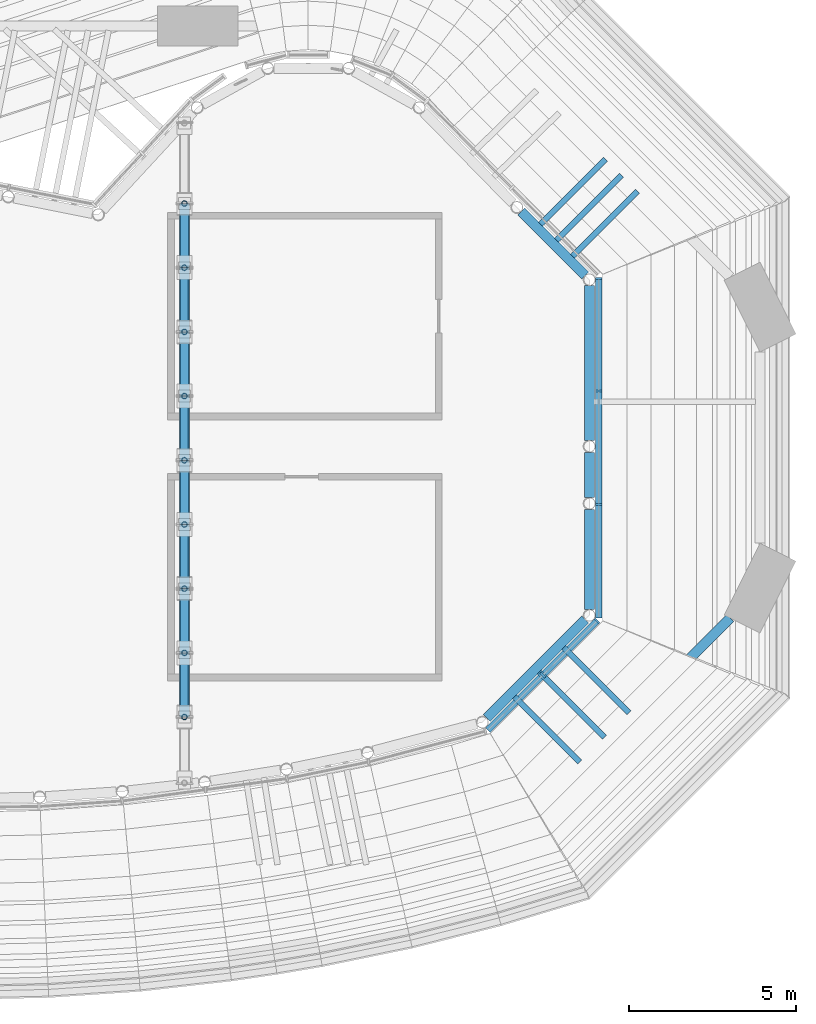
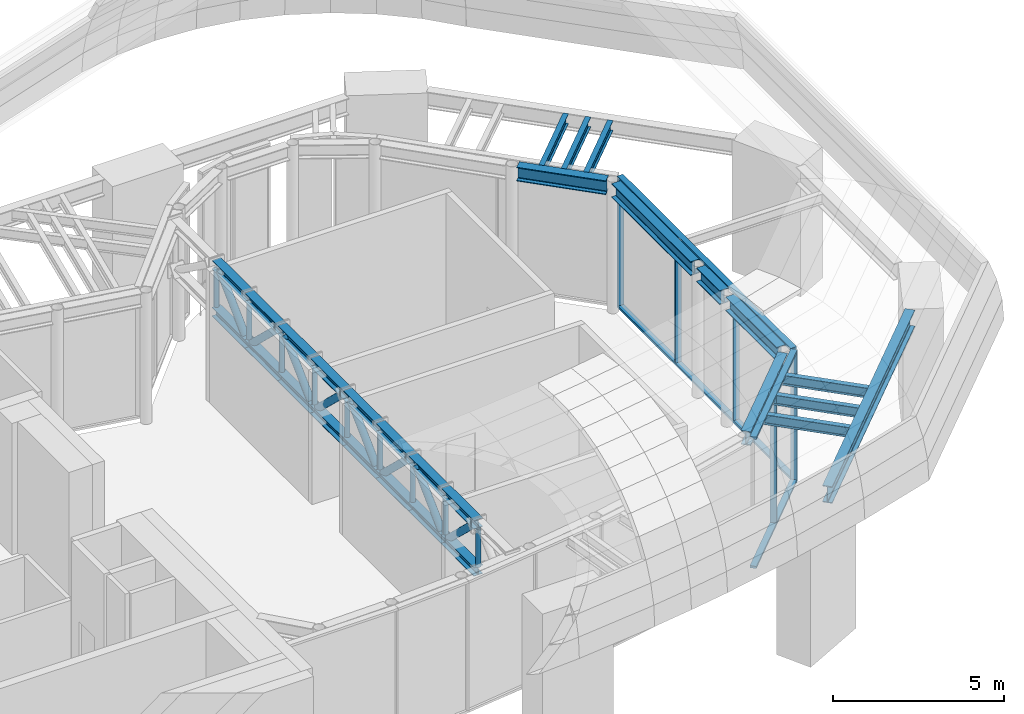
# One storey, part 5 of 20: 42 members, 12 beams, 2 elements without a shape of their own.
"""IFC4 building model written with IfcOpenShell, lengths in metres."""

from ifc_helpers import new_model, si_unit, direction, frame, origin, origin_2d, place, context, subcontext, project, spatial, rectangle, hollow_circle, i_section, extrude, material, material_profile, profile_set, type_object, element, aggregate, save


model = new_model("IFC4")

# Units and contexts
model_context = context("Model", 3, precision=1e-05, world=origin(), true_north=direction((0.0, 1.0)))
body_context = subcontext(model_context, "Body", "Model", "MODEL_VIEW")
ifc_project = project(units=[si_unit("LENGTHUNIT", "METRE"), si_unit("AREAUNIT", "SQUARE_METRE"), si_unit("VOLUMEUNIT", "CUBIC_METRE"), si_unit("PLANEANGLEUNIT", "RADIAN"), si_unit("MASSUNIT", "GRAM", prefix="KILO")], contexts=[model_context])

# Site, building, storey
site_placement = place(None, origin())
site = spatial("IfcSite", under=ifc_project, at=site_placement, CompositionType="ELEMENT")
building_placement = place(site_placement, origin())
building = spatial("IfcBuilding", under=site, at=building_placement, Name="Brevane Broadcast Tower", CompositionType="ELEMENT")
storey_placement = place(building_placement, frame((0.0, 0.0, 264.199951171875)))
storey = spatial("IfcBuildingStorey", under=building, at=storey_placement, Name="L66", CompositionType="ELEMENT", Elevation=264.199951171875)

# Curtain wall, members
ifc_material_1 = material(Name="Aluminium 6063-T6 bronze anodised", Category="aluminium")
curtain_wall_type = type_object("IfcCurtainWallType", Name="CW-5 curtain wall", PredefinedType="NOTDEFINED", material=ifc_material_1)
curtain_wall_1_placement = place(storey_placement, origin())
curtain_wall_1 = element("IfcCurtainWall", 1, at=curtain_wall_1_placement, inside=storey, type_object=curtain_wall_type, Name="CW-5 gallery glazing 6", PredefinedType="NOTDEFINED")
ifc_material_profile_1 = material_profile(ifc_material_1, rectangle(XDim=0.199951171875, YDim=0.06005859375, at=origin_2d()), Name="RECT 60x200")
ifc_profile_set_1 = profile_set([ifc_material_profile_1], Name="Aluminium 6063-T6 bronze anodised")
member_type_1 = type_object("IfcMemberType", Name="CW-5 hall mullion 60x200", PredefinedType="MULLION", material=ifc_profile_set_1)
member_1_placement = place(storey_placement, frame((43.91064453125, 5.7998046875, 0.080078125), z_axis=(0.0, 0.0, 1.0), x_axis=(-0.707106781187, 0.707106781187, 0.0)))
member_1 = element("IfcMember", 2, at=member_1_placement, type_object=member_type_1, Name="CW-5 gallery glazing mullion", PredefinedType="MULLION", context=body_context, shape_type="SweptSolid", body=[
    extrude(rectangle(XDim=0.199951171875, YDim=0.06005859375, at=origin_2d()), origin(), (0.0, 0.0, 1.0), 4.5400390625),
])
member_2_placement = place(storey_placement, frame((45.529541015625, 7.418701171875, 0.080078125), z_axis=(0.0, 0.0, 1.0), x_axis=(-0.707106781187, 0.707106781187, 0.0)))
member_2 = element("IfcMember", 3, at=member_2_placement, type_object=member_type_1, Name="CW-5 gallery glazing mullion", PredefinedType="MULLION", context=body_context, shape_type="SweptSolid", body=[
    extrude(rectangle(XDim=0.199951171875, YDim=0.06005859375, at=origin_2d()), origin(), (0.0, 0.0, 1.0), 4.5400390625),
])

curtain_wall_2_placement = place(storey_placement, origin())
curtain_wall_2 = element("IfcCurtainWall", 4, at=curtain_wall_2_placement, inside=storey, type_object=curtain_wall_type, Name="CW-5 gallery glazing 7", PredefinedType="NOTDEFINED")
member_3_placement = place(storey_placement, frame((45.580078125, 10.903564453125, 0.080078125), z_axis=(0.0, 0.0, 1.0), x_axis=(-1.0, 0.0, 0.0)))
member_3 = element("IfcMember", 5, at=member_3_placement, type_object=member_type_1, Name="CW-5 gallery glazing mullion", PredefinedType="MULLION", context=body_context, shape_type="SweptSolid", body=[
    extrude(rectangle(XDim=0.199951171875, YDim=0.06005859375, at=origin_2d()), origin(), (0.0, 0.0, 1.0), 4.5400390625),
])
member_4_placement = place(storey_placement, frame((45.580078125, 14.29638671875, 0.080078125), z_axis=(0.0, 0.0, 1.0), x_axis=(-1.0, 0.0, 0.0)))
member_4 = element("IfcMember", 6, at=member_4_placement, type_object=member_type_1, Name="CW-5 gallery glazing mullion", PredefinedType="MULLION", context=body_context, shape_type="SweptSolid", body=[
    extrude(rectangle(XDim=0.199951171875, YDim=0.06005859375, at=origin_2d()), origin(), (0.0, 0.0, 1.0), 4.5400390625),
])
member_5_placement = place(storey_placement, frame((45.580078125, 17.6591796875, 0.080078125), z_axis=(0.0, 0.0, 1.0), x_axis=(-1.0, 0.0, 0.0)))
member_5 = element("IfcMember", 7, at=member_5_placement, type_object=member_type_1, Name="CW-5 gallery glazing mullion", PredefinedType="MULLION", context=body_context, shape_type="SweptSolid", body=[
    extrude(rectangle(XDim=0.199951171875, YDim=0.06005859375, at=origin_2d()), origin(), (0.0, 0.0, 1.0), 4.5400390625),
])

# Member
ifc_material_profile_2 = material_profile(ifc_material_1, rectangle(XDim=0.199951171875, YDim=0.080078125, at=origin_2d()), Name="RECT 80x200")
ifc_profile_set_2 = profile_set([ifc_material_profile_2], Name="Aluminium 6063-T6 bronze anodised")
member_type_2 = type_object("IfcMemberType", Name="CW-5 hall transom 80x200", PredefinedType="USERDEFINED", material=ifc_profile_set_2)
member_6_placement = place(storey_placement, frame((42.2705078125, 4.15966796875, 0.0400390625), z_axis=(0.707106781187, 0.707106781187, 0.0), x_axis=(-0.707106781187, 0.707106781187, 0.0)))
member_6 = element("IfcMember", 8, at=member_6_placement, type_object=member_type_2, Name="CW-5 gallery glazing transom", ObjectType="TRANSOM", PredefinedType="USERDEFINED", context=body_context, shape_type="SweptSolid", body=[
    extrude(rectangle(XDim=0.199951171875, YDim=0.080078125, at=origin_2d()), origin(), (0.0, 0.0, 1.0), 4.638916015625),
])

member_7_placement = place(storey_placement, frame((42.2705078125, 4.15966796875, 4.66015625), z_axis=(0.707106781187, 0.707106781187, 0.0), x_axis=(-0.707106781187, 0.707106781187, 0.0)))
member_7 = element("IfcMember", 9, at=member_7_placement, type_object=member_type_2, Name="CW-5 gallery glazing transom", ObjectType="TRANSOM", PredefinedType="USERDEFINED", context=body_context, shape_type="SweptSolid", body=[
    extrude(rectangle(XDim=0.199951171875, YDim=0.080078125, at=origin_2d()), origin(), (0.0, 0.0, 1.0), 4.638916015625),
])

aggregate(curtain_wall_1, [member_1, member_2, member_6, member_7])

member_8_placement = place(storey_placement, frame((45.580078125, 7.5107421875, 0.0400390625), z_axis=(0.0, 1.0, 0.0), x_axis=(-1.0, 0.0, 0.0)))
member_8 = element("IfcMember", 10, at=member_8_placement, type_object=member_type_2, Name="CW-5 gallery glazing transom", ObjectType="TRANSOM", PredefinedType="USERDEFINED", context=body_context, shape_type="SweptSolid", body=[
    extrude(rectangle(XDim=0.199951171875, YDim=0.080078125, at=origin_2d()), origin(), (0.0, 0.0, 1.0), 10.178466796875),
])

member_9_placement = place(storey_placement, frame((45.580078125, 7.5107421875, 4.66015625), z_axis=(0.0, 1.0, 0.0), x_axis=(-1.0, 0.0, 0.0)))
member_9 = element("IfcMember", 11, at=member_9_placement, type_object=member_type_2, Name="CW-5 gallery glazing transom", ObjectType="TRANSOM", PredefinedType="USERDEFINED", context=body_context, shape_type="SweptSolid", body=[
    extrude(rectangle(XDim=0.199951171875, YDim=0.080078125, at=origin_2d()), origin(), (0.0, 0.0, 1.0), 10.178466796875),
])

aggregate(curtain_wall_2, [member_3, member_4, member_5, member_8, member_9])

# Beams
ifc_material_2 = material(Name="Steel S355", Category="steel")
ifc_material_profile_3 = material_profile(ifc_material_2, i_section(OverallWidth=0.169921875, OverallDepth=0.360107421875, WebThickness=0.008056640625, FlangeThickness=0.0126953125, FilletRadius=0.01806640625, at=origin_2d()), Name="IPE 360")
ifc_profile_set_3 = profile_set([ifc_material_profile_3], Name="Steel S355")
beam_type_1 = type_object("IfcBeamType", Name="STEEL CANOPY RAFTER IPE 360 S355", PredefinedType="BEAM", material=ifc_profile_set_3)
for number, where, z_axis, x_axis, name in (
    (12, (43.839111328125, 19.273681640625, 4.52001953125), (0.707106781187, 0.707106781187, 0.0), (-0.707106781187, 0.707106781187, 0.0), "SB2 21"),
    (13, (44.317138671875, 18.795654296875, 4.52001953125), (0.707106781187, 0.707106781187, 0.0), (-0.707106781187, 0.707106781187, 0.0), "SB2 22"),
):
    element("IfcBeam", number, at=place(storey_placement, frame(where, z_axis=z_axis, x_axis=x_axis)), inside=storey, type_object=beam_type_1, Name=name, PredefinedType="BEAM", context=body_context, shape_type="SweptSolid", body=[
        extrude(i_section(OverallWidth=0.169921875, OverallDepth=0.360107421875, WebThickness=0.008056640625, FlangeThickness=0.0126953125, FilletRadius=0.01806640625, at=origin_2d()), origin(), (0.0, 0.0, 1.0), 2.75),
    ])
for number, where, z_axis, x_axis, name in (
    (14, (44.795166015625, 18.3173828125, 4.52001953125), (0.707062394207, 0.70715116538, 0.0), (-0.70715116538, 0.707062394207, 0.0), "SB2 23"),
    (15, (44.537353515625, 6.624755859375, 4.52001953125), (0.70715116538, -0.707062394207, 0.0), (0.707062394207, 0.70715116538, 0.0), "SB2 25"),
    (16, (43.801513671875, 5.888916015625, 4.52001953125), (0.70715116538, -0.707062394207, 0.0), (0.707062394207, 0.70715116538, 0.0), "SB2 26"),
    (17, (43.065673828125, 5.153076171875, 4.52001953125), (0.70715116538, -0.707062394207, 0.0), (0.707062394207, 0.70715116538, 0.0), "SB2 27"),
):
    element("IfcBeam", number, at=place(storey_placement, frame(where, z_axis=z_axis, x_axis=x_axis)), inside=storey, type_object=beam_type_1, Name=name, PredefinedType="BEAM", context=body_context, shape_type="SweptSolid", body=[
        extrude(i_section(OverallWidth=0.169921875, OverallDepth=0.360107421875, WebThickness=0.008056640625, FlangeThickness=0.0126953125, FilletRadius=0.01806640625, at=origin_2d()), origin(), (0.0, 0.0, 1.0), 2.750244140625),
    ])
ifc_material_profile_4 = material_profile(ifc_material_2, i_section(OverallWidth=0.300048828125, OverallDepth=0.60009765625, WebThickness=0.015380859375, FlangeThickness=0.030029296875, FilletRadius=0.027099609375, at=origin_2d()), Name="HE 600 B")
ifc_profile_set_4 = profile_set([ifc_material_profile_4], Name="Steel S355")
beam_type_2 = type_object("IfcBeamType", Name="STEEL CANOPY RING BEAM HE 600 B S355", PredefinedType="BEAM", material=ifc_profile_set_4)
beam_1_placement = place(storey_placement, frame((42.89453125, 0.89453125, 4.400146484375), z_axis=(0.707106781187, 0.707106781187, 0.0), x_axis=(-0.707106781187, 0.707106781187, 0.0)))
element("IfcBeam", 18, at=beam_1_placement, inside=storey, type_object=beam_type_2, Name="SB1 2", PredefinedType="BEAM", context=body_context, shape_type="SweptSolid", body=[
    extrude(i_section(OverallWidth=0.300048828125, OverallDepth=0.60009765625, WebThickness=0.015380859375, FlangeThickness=0.030029296875, FilletRadius=0.027099609375, at=origin_2d()), origin(), (0.0, 0.0, 1.0), 9.349365234375),
])
ifc_material_profile_5 = material_profile(ifc_material_2, i_section(OverallWidth=0.300048828125, OverallDepth=0.5, WebThickness=0.014404296875, FlangeThickness=0.028076171875, FilletRadius=0.027099609375, at=origin_2d()), Name="HE 500 B")
ifc_profile_set_5 = profile_set([ifc_material_profile_5], Name="Steel S355")
beam_type_3 = type_object("IfcBeamType", Name="STEEL ENCLOSURE RING BEAM HE 500 B S355", PredefinedType="BEAM", material=ifc_profile_set_5)
beam_2_placement = place(storey_placement, frame((43.261962890625, 19.652587890625, 4.449951171875), z_axis=(0.707151919023, -0.707061640468, 0.0), x_axis=(0.707061640468, 0.707151919023, 0.0)))
element("IfcBeam", 19, at=beam_2_placement, inside=storey, type_object=beam_type_3, Name="SB3 E14", PredefinedType="BEAM", context=body_context, shape_type="SweptSolid", body=[
    extrude(i_section(OverallWidth=0.300048828125, OverallDepth=0.5, WebThickness=0.014404296875, FlangeThickness=0.028076171875, FilletRadius=0.027099609375, at=origin_2d()), origin(), (0.0, 0.0, 1.0), 2.704345703125),
])
beam_3_placement = place(storey_placement, frame((45.300048828125, 17.43701171875, 4.449951171875), z_axis=(0.0, -1.0, 0.0), x_axis=(1.0, 0.0, 0.0)))
element("IfcBeam", 20, at=beam_3_placement, inside=storey, type_object=beam_type_3, Name="SB3 E15", PredefinedType="BEAM", context=body_context, shape_type="SweptSolid", body=[
    extrude(i_section(OverallWidth=0.300048828125, OverallDepth=0.5, WebThickness=0.014404296875, FlangeThickness=0.028076171875, FilletRadius=0.027099609375, at=origin_2d()), origin(), (0.0, 0.0, 1.0), 4.622802734375),
])
beam_4_placement = place(storey_placement, frame((45.300048828125, 12.45849609375, 4.449951171875), z_axis=(0.0, -1.0, 0.0), x_axis=(1.0, 0.0, 0.0)))
element("IfcBeam", 21, at=beam_4_placement, inside=storey, type_object=beam_type_3, Name="SB3 E16", PredefinedType="BEAM", context=body_context, shape_type="SweptSolid", body=[
    extrude(i_section(OverallWidth=0.300048828125, OverallDepth=0.5, WebThickness=0.014404296875, FlangeThickness=0.028076171875, FilletRadius=0.027099609375, at=origin_2d()), origin(), (0.0, 0.0, 1.0), 1.352294921875),
])
beam_5_placement = place(storey_placement, frame((45.300048828125, 10.750732421875, 4.449951171875), z_axis=(0.0, -1.0, 0.0), x_axis=(1.0, 0.0, 0.0)))
element("IfcBeam", 22, at=beam_5_placement, inside=storey, type_object=beam_type_3, Name="SB3 E17", PredefinedType="BEAM", context=body_context, shape_type="SweptSolid", body=[
    extrude(i_section(OverallWidth=0.300048828125, OverallDepth=0.5, WebThickness=0.014404296875, FlangeThickness=0.028076171875, FilletRadius=0.027099609375, at=origin_2d()), origin(), (0.0, 0.0, 1.0), 2.987548828125),
])
beam_6_placement = place(storey_placement, frame((45.17431640625, 7.45947265625, 4.449951171875), z_axis=(-0.707136107723, -0.707077453434, 0.0), x_axis=(0.707077453434, -0.707136107723, 0.0)))
element("IfcBeam", 23, at=beam_6_placement, inside=storey, type_object=beam_type_3, Name="SB3 E18", PredefinedType="BEAM", context=body_context, shape_type="SweptSolid", body=[
    extrude(i_section(OverallWidth=0.300048828125, OverallDepth=0.5, WebThickness=0.014404296875, FlangeThickness=0.028076171875, FilletRadius=0.027099609375, at=origin_2d()), origin(), (0.0, 0.0, 1.0), 4.162353515625),
])

# Members
ifc_material_profile_6 = material_profile(ifc_material_2, i_section(OverallWidth=0.300048828125, OverallDepth=0.320068359375, WebThickness=0.011474609375, FlangeThickness=0.0205078125, FilletRadius=0.027099609375, at=origin_2d()), Name="HE 320 B")
ifc_profile_set_6 = profile_set([ifc_material_profile_6], Name="Steel S355")
member_type_3 = type_object("IfcMemberType", Name="STEEL ROOF TRUSS CHORD HE 320 B S355", PredefinedType="CHORD", material=ifc_profile_set_6)
for number, where, z_axis, x_axis, name in (
    (24, (33.199951171875, 4.547607421875, 4.5400390625), (0.0, 1.0, 0.0), (-1.0, 0.0, 0.0), "TC4 3T2"),
    (25, (33.199951171875, 4.547607421875, 2.860107421875), (0.0, 1.0, 0.0), (-1.0, 0.0, 0.0), "TC4 3B2"),
):
    element("IfcMember", number, at=place(storey_placement, frame(where, z_axis=z_axis, x_axis=x_axis)), inside=storey, type_object=member_type_3, Name=name, PredefinedType="CHORD", context=body_context, shape_type="SweptSolid", body=[
        extrude(i_section(OverallWidth=0.300048828125, OverallDepth=0.320068359375, WebThickness=0.011474609375, FlangeThickness=0.0205078125, FilletRadius=0.027099609375, at=origin_2d()), origin(), (0.0, 0.0, 1.0), 1.918212890625),
    ])
for number, where, z_axis, x_axis, name in (
    (26, (33.199951171875, 6.4658203125, 4.5400390625), (0.0, 1.0, 0.0), (-1.0, 0.0, 0.0), "TC4 3T3"),
    (27, (33.199951171875, 6.4658203125, 2.860107421875), (0.0, 1.0, 0.0), (-1.0, 0.0, 0.0), "TC4 3B3"),
):
    element("IfcMember", number, at=place(storey_placement, frame(where, z_axis=z_axis, x_axis=x_axis)), inside=storey, type_object=member_type_3, Name=name, PredefinedType="CHORD", context=body_context, shape_type="SweptSolid", body=[
        extrude(i_section(OverallWidth=0.300048828125, OverallDepth=0.320068359375, WebThickness=0.011474609375, FlangeThickness=0.0205078125, FilletRadius=0.027099609375, at=origin_2d()), origin(), (0.0, 0.0, 1.0), 1.91796875),
    ])
for number, where, z_axis, x_axis, name in (
    (28, (33.199951171875, 8.3837890625, 4.5400390625), (0.0, 1.0, 0.0), (-1.0, 0.0, 0.0), "TC4 3T4"),
    (29, (33.199951171875, 8.3837890625, 2.860107421875), (0.0, 1.0, 0.0), (-1.0, 0.0, 0.0), "TC4 3B4"),
):
    element("IfcMember", number, at=place(storey_placement, frame(where, z_axis=z_axis, x_axis=x_axis)), inside=storey, type_object=member_type_3, Name=name, PredefinedType="CHORD", context=body_context, shape_type="SweptSolid", body=[
        extrude(i_section(OverallWidth=0.300048828125, OverallDepth=0.320068359375, WebThickness=0.011474609375, FlangeThickness=0.0205078125, FilletRadius=0.027099609375, at=origin_2d()), origin(), (0.0, 0.0, 1.0), 1.918212890625),
    ])
for number, where, z_axis, x_axis, name in (
    (30, (33.199951171875, 10.302001953125, 4.5400390625), (0.0, 1.0, 0.0), (-1.0, 0.0, 0.0), "TC4 3T5"),
    (31, (33.199951171875, 10.302001953125, 2.860107421875), (0.0, 1.0, 0.0), (-1.0, 0.0, 0.0), "TC4 3B5"),
):
    element("IfcMember", number, at=place(storey_placement, frame(where, z_axis=z_axis, x_axis=x_axis)), inside=storey, type_object=member_type_3, Name=name, PredefinedType="CHORD", context=body_context, shape_type="SweptSolid", body=[
        extrude(i_section(OverallWidth=0.300048828125, OverallDepth=0.320068359375, WebThickness=0.011474609375, FlangeThickness=0.0205078125, FilletRadius=0.027099609375, at=origin_2d()), origin(), (0.0, 0.0, 1.0), 1.91796875),
    ])
for number, where, z_axis, x_axis, name in (
    (32, (33.199951171875, 12.219970703125, 4.5400390625), (0.0, 1.0, 0.0), (-1.0, 0.0, 0.0), "TC4 3T6"),
    (33, (33.199951171875, 12.219970703125, 2.860107421875), (0.0, 1.0, 0.0), (-1.0, 0.0, 0.0), "TC4 3B6"),
):
    element("IfcMember", number, at=place(storey_placement, frame(where, z_axis=z_axis, x_axis=x_axis)), inside=storey, type_object=member_type_3, Name=name, PredefinedType="CHORD", context=body_context, shape_type="SweptSolid", body=[
        extrude(i_section(OverallWidth=0.300048828125, OverallDepth=0.320068359375, WebThickness=0.011474609375, FlangeThickness=0.0205078125, FilletRadius=0.027099609375, at=origin_2d()), origin(), (0.0, 0.0, 1.0), 1.918212890625),
    ])
for number, where, z_axis, x_axis, name in (
    (34, (33.199951171875, 14.13818359375, 4.5400390625), (0.0, 1.0, 0.0), (-1.0, 0.0, 0.0), "TC4 3T7"),
    (35, (33.199951171875, 14.13818359375, 2.860107421875), (0.0, 1.0, 0.0), (-1.0, 0.0, 0.0), "TC4 3B7"),
):
    element("IfcMember", number, at=place(storey_placement, frame(where, z_axis=z_axis, x_axis=x_axis)), inside=storey, type_object=member_type_3, Name=name, PredefinedType="CHORD", context=body_context, shape_type="SweptSolid", body=[
        extrude(i_section(OverallWidth=0.300048828125, OverallDepth=0.320068359375, WebThickness=0.011474609375, FlangeThickness=0.0205078125, FilletRadius=0.027099609375, at=origin_2d()), origin(), (0.0, 0.0, 1.0), 1.91796875),
    ])
for number, where, z_axis, x_axis, name in (
    (36, (33.199951171875, 16.05615234375, 4.5400390625), (0.0, 1.0, 0.0), (-1.0, 0.0, 0.0), "TC4 3T8"),
    (37, (33.199951171875, 16.05615234375, 2.860107421875), (0.0, 1.0, 0.0), (-1.0, 0.0, 0.0), "TC4 3B8"),
):
    element("IfcMember", number, at=place(storey_placement, frame(where, z_axis=z_axis, x_axis=x_axis)), inside=storey, type_object=member_type_3, Name=name, PredefinedType="CHORD", context=body_context, shape_type="SweptSolid", body=[
        extrude(i_section(OverallWidth=0.300048828125, OverallDepth=0.320068359375, WebThickness=0.011474609375, FlangeThickness=0.0205078125, FilletRadius=0.027099609375, at=origin_2d()), origin(), (0.0, 0.0, 1.0), 1.918212890625),
    ])
for number, where, z_axis, x_axis, name in (
    (38, (33.199951171875, 17.974365234375, 4.5400390625), (0.0, 1.0, 0.0), (-1.0, 0.0, 0.0), "TC4 3T9"),
    (39, (33.199951171875, 17.974365234375, 2.860107421875), (0.0, 1.0, 0.0), (-1.0, 0.0, 0.0), "TC4 3B9"),
):
    element("IfcMember", number, at=place(storey_placement, frame(where, z_axis=z_axis, x_axis=x_axis)), inside=storey, type_object=member_type_3, Name=name, PredefinedType="CHORD", context=body_context, shape_type="SweptSolid", body=[
        extrude(i_section(OverallWidth=0.300048828125, OverallDepth=0.320068359375, WebThickness=0.011474609375, FlangeThickness=0.0205078125, FilletRadius=0.027099609375, at=origin_2d()), origin(), (0.0, 0.0, 1.0), 1.91796875),
    ])
ifc_material_profile_7 = material_profile(ifc_material_2, hollow_circle(Radius=0.122314453125, WallThickness=0.010009765625, at=origin_2d()), Name="CHS 244.5x10")
ifc_profile_set_7 = profile_set([ifc_material_profile_7], Name="Steel S355")
member_type_4 = type_object("IfcMemberType", Name="STEEL ROOF TRUSS DIAGONAL CHS 244.5x10 S355", PredefinedType="BRACE", material=ifc_profile_set_7)
for number, where, z_axis, x_axis, name in (
    (40, (33.199951171875, 6.261474609375, 2.97998046875), (0.0, -0.723583956812, 0.690236377949), (1.0, 0.0, 0.0), "TD4 3-2"),
    (41, (33.199951171875, 6.669921875, 2.97998046875), (0.0, 0.723583956812, 0.690236377949), (-1.0, 0.0, 0.0), "TD4 3-3"),
    (42, (33.199951171875, 10.09765625, 2.97998046875), (0.0, -0.723583956812, 0.690236377949), (1.0, 0.0, 0.0), "TD4 3-4"),
    (43, (33.199951171875, 10.506103515625, 2.97998046875), (0.0, 0.723583956812, 0.690236377949), (-1.0, 0.0, 0.0), "TD4 3-5"),
    (44, (33.199951171875, 13.933837890625, 2.97998046875), (0.0, -0.723583956812, 0.690236377949), (1.0, 0.0, 0.0), "TD4 3-6"),
    (45, (33.199951171875, 14.34228515625, 2.97998046875), (0.0, 0.723583956812, 0.690236377949), (-1.0, 0.0, 0.0), "TD4 3-7"),
    (46, (33.199951171875, 17.77001953125, 2.97998046875), (0.0, -0.723583956812, 0.690236377949), (1.0, 0.0, 0.0), "TD4 3-8"),
    (47, (33.199951171875, 18.178466796875, 2.97998046875), (0.0, 0.723583956812, 0.690236377949), (-1.0, 0.0, 0.0), "TD4 3-9"),
):
    element("IfcMember", number, at=place(storey_placement, frame(where, z_axis=z_axis, x_axis=x_axis)), inside=storey, type_object=member_type_4, Name=name, PredefinedType="BRACE", context=body_context, shape_type="SweptSolid", body=[
        extrude(hollow_circle(Radius=0.122314453125, WallThickness=0.010009765625, at=origin_2d()), origin(), (0.0, 0.0, 1.0), 2.08642578125),
    ])
ifc_material_profile_8 = material_profile(ifc_material_2, hollow_circle(Radius=0.084228515625, WallThickness=0.012451171875, at=origin_2d()), Name="CHS 168.3x12.5")
ifc_profile_set_8 = profile_set([ifc_material_profile_8], Name="Steel S355")
member_type_5 = type_object("IfcMemberType", Name="STEEL ROOF TRUSS POST CHS 168.3x12.5 S355", PredefinedType="STUD", material=ifc_profile_set_8)
for number, where, z_axis, x_axis, name in (
    (48, (33.199951171875, 4.547607421875, 3.02001953125), (0.0, 0.0, 1.0), (1.0, 0.0, 0.0), "TV4 3-2"),
    (49, (33.199951171875, 6.4658203125, 3.02001953125), (0.0, 0.0, 1.0), (1.0, 0.0, 0.0), "TV4 3-3"),
    (50, (33.199951171875, 8.3837890625, 3.02001953125), (0.0, 0.0, 1.0), (1.0, 0.0, 0.0), "TV4 3-4"),
    (51, (33.199951171875, 10.302001953125, 3.02001953125), (0.0, 0.0, 1.0), (1.0, 0.0, 0.0), "TV4 3-5"),
    (52, (33.199951171875, 12.219970703125, 3.02001953125), (0.0, 0.0, 1.0), (1.0, 0.0, 0.0), "TV4 3-6"),
    (53, (33.199951171875, 14.13818359375, 3.02001953125), (0.0, 0.0, 1.0), (1.0, 0.0, 0.0), "TV4 3-7"),
    (54, (33.199951171875, 16.05615234375, 3.02001953125), (0.0, 0.0, 1.0), (1.0, 0.0, 0.0), "TV4 3-8"),
    (55, (33.199951171875, 17.974365234375, 3.02001953125), (0.0, 0.0, 1.0), (1.0, 0.0, 0.0), "TV4 3-9"),
    (56, (33.199951171875, 19.892333984375, 3.02001953125), (0.0, 0.0, 1.0), (1.0, 0.0, 0.0), "TV4 3-10"),
):
    element("IfcMember", number, at=place(storey_placement, frame(where, z_axis=z_axis, x_axis=x_axis)), inside=storey, type_object=member_type_5, Name=name, PredefinedType="STUD", context=body_context, shape_type="SweptSolid", body=[
        extrude(hollow_circle(Radius=0.084228515625, WallThickness=0.012451171875, at=origin_2d()), origin(), (0.0, 0.0, 1.0), 1.360107421875),
    ])

save(model, "model.ifc")
